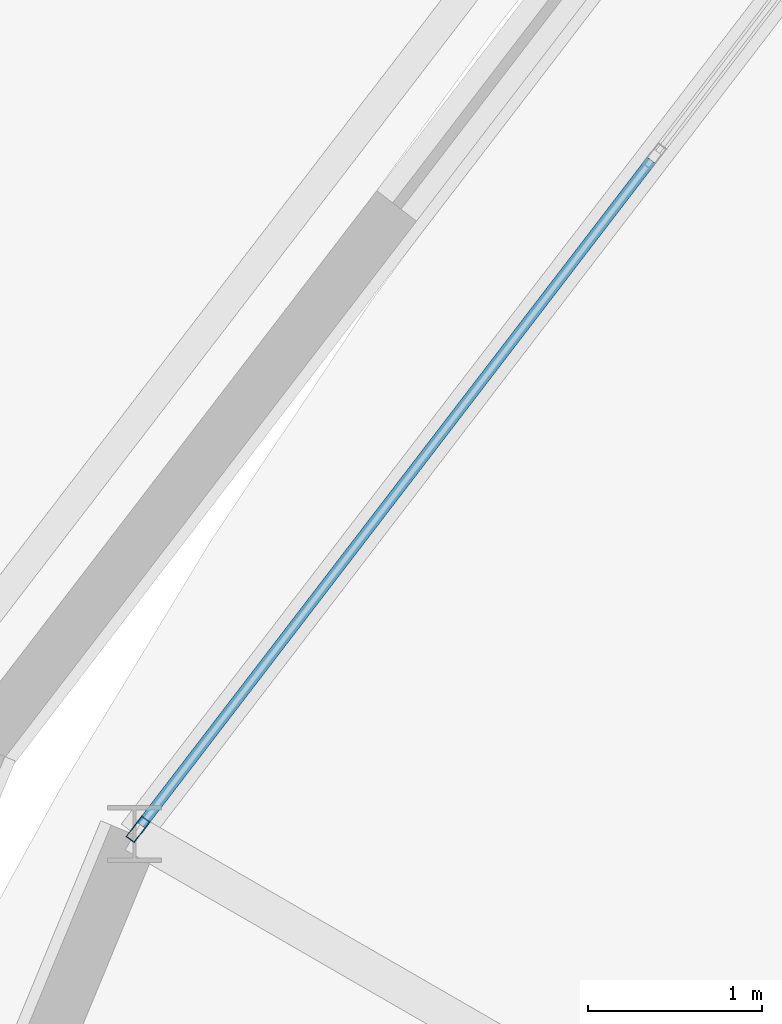
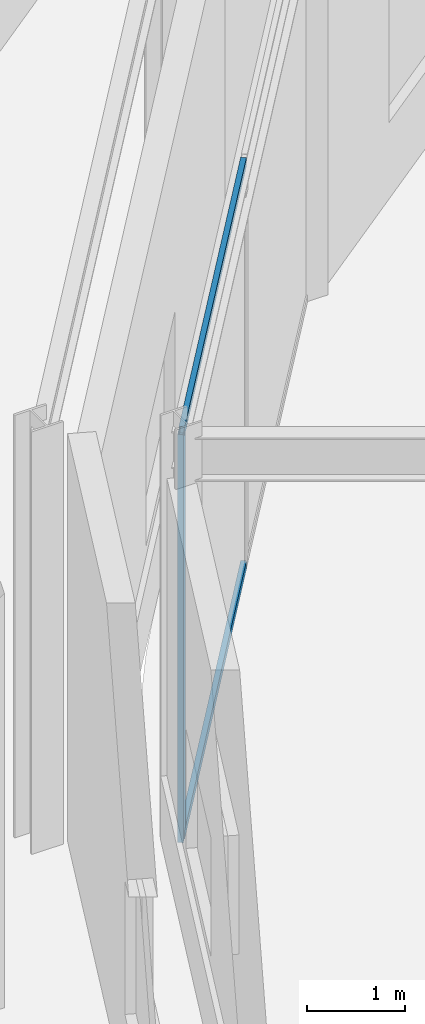
# One storey, part 65 of 168: 3 members, 1 element without a shape of its own.
"""IFC4 building model written with IfcOpenShell, lengths in metres."""

from ifc_helpers import new_model, si_unit, direction, frame, origin, origin_2d, place, context, subcontext, project, spatial, hollow_rectangle, extrude, material, material_profile, profile_set, type_object, element, aggregate, save


model = new_model("IFC4")

# Units and contexts
model_context = context("Model", 3, precision=1e-05, world=origin(), true_north=direction((0.0, 1.0)))
body_context = subcontext(model_context, "Body", "Model", "MODEL_VIEW")
ifc_project = project(units=[si_unit("LENGTHUNIT", "METRE"), si_unit("AREAUNIT", "SQUARE_METRE"), si_unit("VOLUMEUNIT", "CUBIC_METRE"), si_unit("PLANEANGLEUNIT", "RADIAN"), si_unit("MASSUNIT", "GRAM", prefix="KILO")], contexts=[model_context])

# Site, building, storey
site_placement = place(None, origin())
site = spatial("IfcSite", under=ifc_project, at=site_placement, CompositionType="ELEMENT")
building_placement = place(site_placement, origin())
building = spatial("IfcBuilding", under=site, at=building_placement, Name="Almandine Court Research Institute", CompositionType="ELEMENT")
storey_placement = place(building_placement, origin())
storey = spatial("IfcBuildingStorey", under=building, at=storey_placement, Name="L00", CompositionType="ELEMENT", Elevation=0.0)

# Curtain wall, members
ifc_material_1 = material(Name="Unitised Curtain Wall Framing and Solar Glazing", Category="glass")
curtain_wall_type = type_object("IfcCurtainWallType", Name="CW-CWG-23", PredefinedType="USERDEFINED", material=ifc_material_1)
curtain_wall_placement = place(storey_placement, origin())
curtain_wall = element("IfcCurtainWall", 1, at=curtain_wall_placement, inside=storey, type_object=curtain_wall_type, Name="L00 Interaction Atrium Perimeter Curtain Wall 09", ObjectType="UNITISED GLAZING", PredefinedType="USERDEFINED")
ifc_material_2 = material(Name="Anodised Aluminium AW-6063-T6", Category="aluminium")
ifc_material_profile_1 = material_profile(ifc_material_2, hollow_rectangle(XDim=0.06005859375, YDim=0.14990234375, WallThickness=0.00390625, at=origin_2d()), Name="ALU RHS 60x150x4")
ifc_profile_set_1 = profile_set([ifc_material_profile_1], Name="Anodised Aluminium AW-6063-T6")
member_type_1 = type_object("IfcMemberType", Name="CWMul-60x150", PredefinedType="MULLION", material=ifc_profile_set_1)
member_1_placement = place(storey_placement, frame((54.414306640625, 74.851806640625, 0.0), z_axis=(0.0, 0.0, 1.0), x_axis=(-0.793353924979, 0.608760667029, 0.0)))
member_1 = element("IfcMember", 2, at=member_1_placement, type_object=member_type_1, Name="CWG-23 mullion 1", PredefinedType="MULLION", context=body_context, shape_type="SweptSolid", body=[
    extrude(hollow_rectangle(XDim=0.06005859375, YDim=0.14990234375, WallThickness=0.00390625, at=origin_2d()), origin(), (0.0, 0.0, 1.0), 5.070068359375),
])
ifc_material_profile_2 = material_profile(ifc_material_2, hollow_rectangle(XDim=0.06005859375, YDim=0.110107421875, WallThickness=0.00390625, at=origin_2d()), Name="ALU RHS 60x110x4")
ifc_profile_set_2 = profile_set([ifc_material_profile_2], Name="Anodised Aluminium AW-6063-T6")
member_type_2 = type_object("IfcMemberType", Name="CWTrn-60x110", PredefinedType="NOTDEFINED", material=ifc_profile_set_2)
member_2_placement = place(storey_placement, frame((54.4326171875, 74.87548828125, 0.030029296875), z_axis=(0.608731319349, 0.793376443338, 0.0), x_axis=(-0.793376443338, 0.608731319349, 0.0)))
member_2 = element("IfcMember", 3, at=member_2_placement, type_object=member_type_2, Name="CWG-23 transom 1.1", ObjectType="TRANSOM", PredefinedType="USERDEFINED", context=body_context, shape_type="SweptSolid", body=[
    extrude(hollow_rectangle(XDim=0.06005859375, YDim=0.110107421875, WallThickness=0.00390625, at=origin_2d()), origin(), (0.0, 0.0, 1.0), 4.82080078125),
])
member_3_placement = place(storey_placement, frame((54.4326171875, 74.87548828125, 5.0400390625), z_axis=(0.608731319349, 0.793376443338, 0.0), x_axis=(-0.793376443338, 0.608731319349, 0.0)))
member_3 = element("IfcMember", 4, at=member_3_placement, type_object=member_type_2, Name="CWG-23 transom 1.2", ObjectType="TRANSOM", PredefinedType="USERDEFINED", context=body_context, shape_type="SweptSolid", body=[
    extrude(hollow_rectangle(XDim=0.06005859375, YDim=0.110107421875, WallThickness=0.00390625, at=origin_2d()), origin(), (0.0, 0.0, 1.0), 4.82080078125),
])
aggregate(curtain_wall, [member_1, member_2, member_3])

save(model, "model.ifc")
